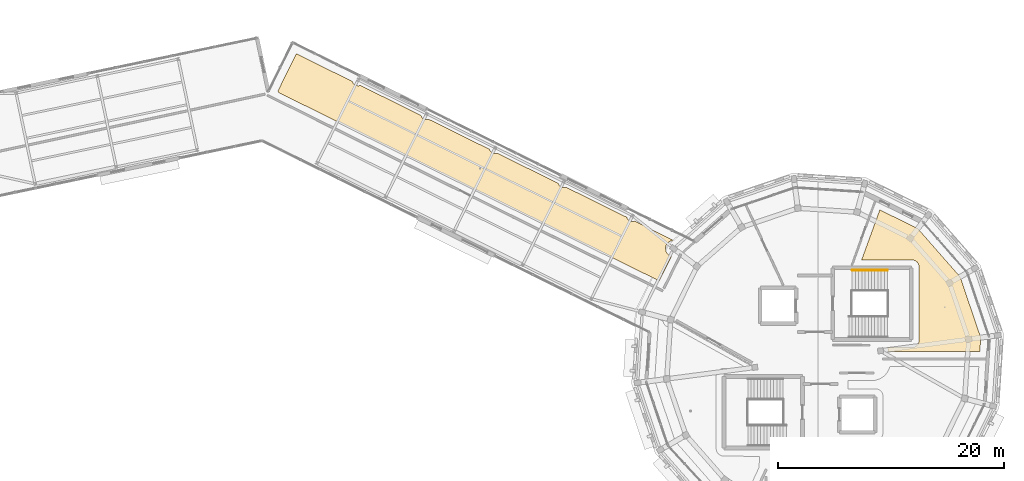
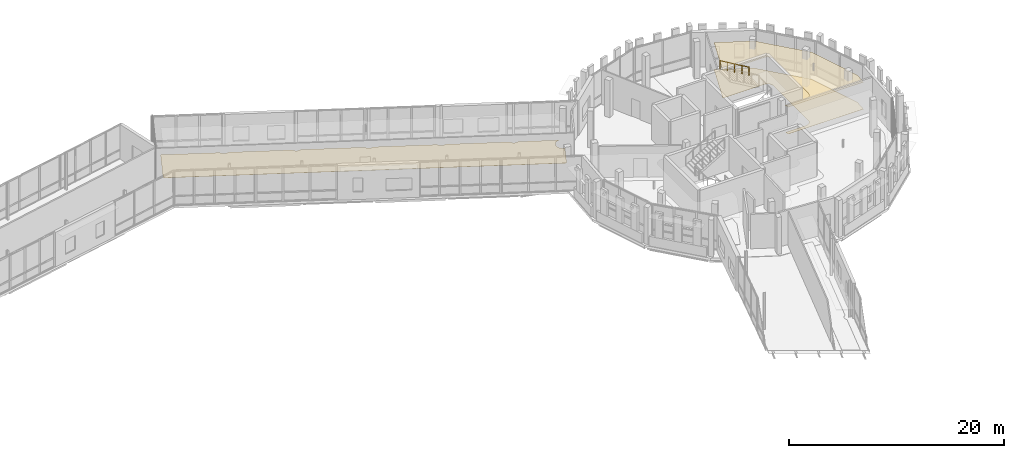
# One storey, part 125 of 125: 3 coverings, 1 railing.
"""IFC4 building model written with IfcOpenShell, lengths in metres."""

from ifc_helpers import new_model, si_unit, direction, frame, origin, origin_2d, place, context, subcontext, project, spatial, polyline, circle, outline, extrude, material, layer, layer_set, type_object, element, save


model = new_model("IFC4")

# Units and contexts
model_context = context("Model", 3, precision=1e-05, world=origin(), true_north=direction((0.0, 1.0)))
body_context = subcontext(model_context, "Body", "Model", "MODEL_VIEW")
ifc_project = project(units=[si_unit("LENGTHUNIT", "METRE"), si_unit("AREAUNIT", "SQUARE_METRE"), si_unit("VOLUMEUNIT", "CUBIC_METRE"), si_unit("PLANEANGLEUNIT", "RADIAN"), si_unit("MASSUNIT", "GRAM", prefix="KILO")], contexts=[model_context])

# Site, building, storey
site_placement = place(None, origin())
site = spatial("IfcSite", under=ifc_project, at=site_placement, CompositionType="ELEMENT")
building_placement = place(site_placement, origin())
building = spatial("IfcBuilding", under=site, at=building_placement, Name="Wrenclough Park School", CompositionType="ELEMENT")
storey_placement = place(building_placement, frame((0.0, 0.0, 4.199951171875)))
storey = spatial("IfcBuildingStorey", under=building, at=storey_placement, Name="L01", CompositionType="ELEMENT", Elevation=4.199951171875)

# Coverings
ifc_material_1 = material(Name="Class A mineral-fibre acoustic ceiling raft", Category="gypsum")
ifc_layer_1 = layer(ifc_material_1, 0.044921875)
ifc_layer_set_1 = layer_set([ifc_layer_1], Name="Class A mineral-fibre acoustic ceiling raft")
covering_type_1 = type_object("IfcCoveringType", Name="INT-COV-CEIL", PredefinedType="CEILING", material=ifc_layer_set_1)
covering_1_placement = place(storey_placement, frame((0.0, 0.0, 3.054931640625)))
element("IfcCovering", 1, at=covering_1_placement, inside=storey, type_object=covering_type_1, Name="Sixth Form Classroom 1 acoustic ceiling raft", PredefinedType="CEILING", context=body_context, shape_type="SweptSolid", body=[
    extrude(outline(polyline([(182.820068359375, 94.530029296875), (180.65087890625, 94.530029296875), (180.693115234375, 94.425537109375), (180.708984375, 94.36181640625), (180.71875, 94.296630859375), (180.718994140625, 94.17041015625), (188.82861328125, 94.169921875), (188.908935546875, 95.39697265625), (187.086181640625, 100.7666015625), (183.347412109375, 105.030029296875), (179.99072265625, 106.685302734375), (178.3837890625, 102.27001953125), (182.8837890625, 102.266845703125), (183.0087890625, 102.241943359375), (183.068603515625, 102.220458984375), (183.18115234375, 102.160400390625), (183.279541015625, 102.07958984375), (183.322509765625, 102.032470703125), (183.393310546875, 101.926513671875), (183.42041015625, 101.86865234375), (183.45751953125, 101.746826171875), (183.469970703125, 101.6201171875), (183.466796875, 95.1162109375), (183.44189453125, 94.9912109375), (183.393310546875, 94.87353515625), (183.322509765625, 94.767578125), (183.232421875, 94.677490234375), (183.12646484375, 94.606689453125), (183.0087890625, 94.55810546875), (182.94677734375, 94.54248046875), (182.820068359375, 94.530029296875)])), origin(), (0.0, 0.0, 1.0), 0.045166015625),
])
ifc_material_2 = material(Name="Acoustic natural linoleum school flooring", Category="wood")
ifc_layer_2 = layer(ifc_material_2, 0.014892578125)
ifc_layer_set_2 = layer_set([ifc_layer_2], Name="Acoustic natural linoleum school flooring")
covering_type_2 = type_object("IfcCoveringType", Name="INT-COV-FLOOR1", PredefinedType="FLOORING", material=ifc_layer_set_2)
covering_2_placement = place(storey_placement, origin())
element("IfcCovering", 2, at=covering_2_placement, inside=storey, type_object=covering_type_2, Name="Sixth Form Classroom 1 floor finish", PredefinedType="FLOORING", context=body_context, shape_type="SweptSolid", body=[
    extrude(outline(polyline([(182.820068359375, 94.530029296875), (180.65087890625, 94.530029296875), (180.693115234375, 94.425537109375), (180.708984375, 94.36181640625), (180.71875, 94.296630859375), (180.718994140625, 94.17041015625), (188.82861328125, 94.169921875), (188.908935546875, 95.39697265625), (187.086181640625, 100.7666015625), (183.347412109375, 105.030029296875), (179.99072265625, 106.685302734375), (178.3837890625, 102.27001953125), (182.8837890625, 102.266845703125), (183.0087890625, 102.241943359375), (183.068603515625, 102.220458984375), (183.18115234375, 102.160400390625), (183.279541015625, 102.07958984375), (183.322509765625, 102.032470703125), (183.393310546875, 101.926513671875), (183.42041015625, 101.86865234375), (183.45751953125, 101.746826171875), (183.469970703125, 101.6201171875), (183.466796875, 95.1162109375), (183.44189453125, 94.9912109375), (183.393310546875, 94.87353515625), (183.322509765625, 94.767578125), (183.232421875, 94.677490234375), (183.12646484375, 94.606689453125), (183.0087890625, 94.55810546875), (182.94677734375, 94.54248046875), (182.820068359375, 94.530029296875)])), origin(), (0.0, 0.0, 1.0), 0.01513671875),
])
covering_3_placement = place(storey_placement, origin())
element("IfcCovering", 3, at=covering_3_placement, inside=storey, type_object=covering_type_2, Name="Sixth Form Tutorial Classroom L01 floor finish", PredefinedType="FLOORING", context=body_context, shape_type="SweptSolid", body=[
    extrude(outline(polyline([(126.864501953125, 117.08837890625), (126.89208984375, 117.0361328125), (160.505859375, 100.402587890625), (161.578857421875, 102.576904296875), (161.491455078125, 102.605712890625), (161.366943359375, 102.67236328125), (161.2578125, 102.761962890625), (161.168212890625, 102.87109375), (161.101806640625, 102.99560546875), (161.060791015625, 103.130615234375), (161.047119140625, 103.27099609375), (161.050537109375, 103.341552734375), (161.077880859375, 103.47998046875), (161.132080078125, 103.6103515625), (161.168212890625, 103.6708984375), (161.2578125, 103.780029296875), (161.366943359375, 103.86962890625), (161.491455078125, 103.936279296875), (161.62646484375, 103.977294921875), (161.755615234375, 103.990478515625), (158.325439453125, 105.68798828125), (158.2333984375, 105.660400390625), (158.182373046875, 105.652587890625), (158.07958984375, 105.652587890625), (157.978759765625, 105.6728515625), (157.883544921875, 105.712158203125), (157.798095703125, 105.769287109375), (157.725341796875, 105.842041015625), (157.668212890625, 105.927490234375), (157.6259765625, 106.033935546875), (152.2626953125, 108.68798828125), (152.17041015625, 108.660400390625), (152.119384765625, 108.652587890625), (152.0166015625, 108.652587890625), (151.915771484375, 108.6728515625), (151.820556640625, 108.712158203125), (151.735107421875, 108.769287109375), (151.662353515625, 108.842041015625), (151.605224609375, 108.927490234375), (151.56298828125, 109.0341796875), (146.200439453125, 111.68798828125), (146.1083984375, 111.660400390625), (146.057373046875, 111.652587890625), (145.95458984375, 111.652587890625), (145.853759765625, 111.6728515625), (145.758544921875, 111.712158203125), (145.673095703125, 111.769287109375), (145.600341796875, 111.842041015625), (145.543212890625, 111.927490234375), (145.5009765625, 112.033935546875), (140.1376953125, 114.68798828125), (140.04541015625, 114.660400390625), (139.994384765625, 114.652587890625), (139.8916015625, 114.652587890625), (139.790771484375, 114.6728515625), (139.695556640625, 114.712158203125), (139.610107421875, 114.769287109375), (139.537353515625, 114.842041015625), (139.480224609375, 114.927490234375), (139.43798828125, 115.0341796875), (134.075439453125, 117.68798828125), (133.9833984375, 117.660400390625), (133.932373046875, 117.652587890625), (133.82958984375, 117.652587890625), (133.728759765625, 117.6728515625), (133.633544921875, 117.712158203125), (133.548095703125, 117.769287109375), (133.475341796875, 117.842041015625), (133.418212890625, 117.927490234375), (133.3759765625, 118.033935546875), (128.425048828125, 120.48388671875), (126.79296875, 117.185791015625), (126.864501953125, 117.08837890625)])), origin(), (0.0, 0.0, 1.0), 0.01513671875),
])

# Railing
ifc_material_3 = material(Name="Brushed stainless steel tubular handrail", Category="steel")
railing_type = type_object("IfcRailingType", Name="INT-RL-HR950", PredefinedType="HANDRAIL", material=ifc_material_3)
railing_placement = place(storey_placement, frame((180.679931640625, 101.35009765625, 2.35205078125)))
element("IfcRailing", 4, at=railing_placement, inside=storey, type_object=railing_type, Name="ST-06 L01 pitch handrail 2", PredefinedType="HANDRAIL", context=body_context, shape_type="SweptSolid", body=[
    extrude(circle(Radius=0.02392578125, at=origin_2d()), frame((0.0, 0.0, 0.92578125), z_axis=(-0.861480291558, 0.0, 0.50779100746), x_axis=(0.0, -1.0, 0.0)), (0.0, 0.0, 1.0), 3.63916015625),
    extrude(circle(Radius=0.02099609375, at=origin_2d()), origin(), (0.0, 0.0, 1.0), 0.90185546875),
    extrude(circle(Radius=0.02099609375, at=origin_2d()), frame((-0.78369140625, 0.0, 0.4619140625)), (0.0, 0.0, 1.0), 0.90185546875),
    extrude(circle(Radius=0.02099609375, at=origin_2d()), frame((-1.5673828125, 0.0, 0.923828125)), (0.0, 0.0, 1.0), 0.90185546875),
    extrude(circle(Radius=0.02099609375, at=origin_2d()), frame((-2.351318359375, 0.0, 1.385986328125)), (0.0, 0.0, 1.0), 0.90185546875),
    extrude(circle(Radius=0.02099609375, at=origin_2d()), frame((-3.135009765625, 0.0, 1.847900390625)), (0.0, 0.0, 1.0), 0.90185546875),
])

save(model, "model.ifc")
